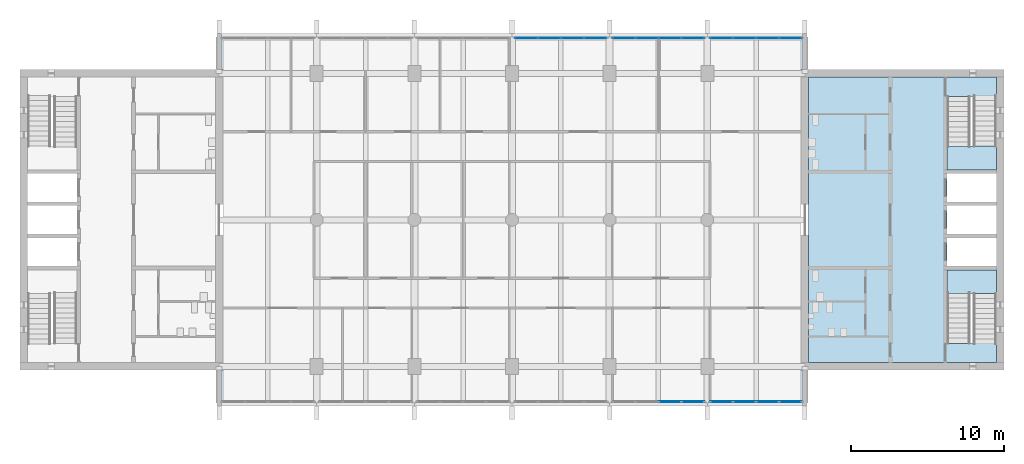
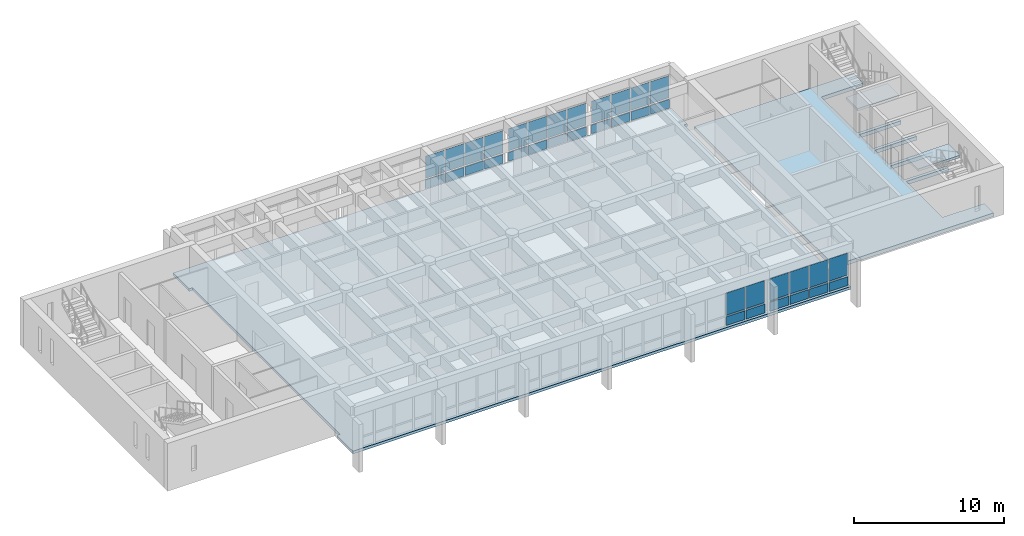
# One storey, part 8 of 15: 36 plates, 4 slabs, 7 elements without a shape of their own.
"""IFC4 building model written with IfcOpenShell, lengths in metres."""

from ifc_helpers import new_model, si_unit, direction, frame, origin, origin_2d, place, context, subcontext, project, spatial, polyline, rectangle, outline, extrude, material, layer, layer_set, type_object, element, aggregate, save


model = new_model("IFC4")

# Units and contexts
model_context = context("Model", 3, precision=1e-05, world=origin(), true_north=direction((0.0, 1.0)))
body_context = subcontext(model_context, "Body", "Model", "MODEL_VIEW")
ifc_project = project(units=[si_unit("LENGTHUNIT", "METRE"), si_unit("AREAUNIT", "SQUARE_METRE"), si_unit("VOLUMEUNIT", "CUBIC_METRE"), si_unit("PLANEANGLEUNIT", "RADIAN"), si_unit("MASSUNIT", "GRAM", prefix="KILO")], contexts=[model_context])

# Site, building, storey
site_placement = place(None, origin())
site = spatial("IfcSite", under=ifc_project, at=site_placement, CompositionType="ELEMENT")
building_placement = place(site_placement, origin())
building = spatial("IfcBuilding", under=site, at=building_placement, Name="Fogon Plaza Fire Station and Headquarters Tower", CompositionType="ELEMENT")
storey_placement = place(building_placement, frame((0.0, 0.0, 52.199951171875)))
storey = spatial("IfcBuildingStorey", under=building, at=storey_placement, Name="L13", CompositionType="ELEMENT", Elevation=52.199951171875)

# Slabs
ifc_material_1 = material(Name="Concrete C40", Category="concrete")
ifc_layer_1 = layer(ifc_material_1, 0.300048828125)
ifc_layer_set_1 = layer_set([ifc_layer_1], Name="Concrete C40")
slab_type_1 = type_object("IfcSlabType", Name="Core Floor Slab RC 300", PredefinedType="FLOOR", material=ifc_layer_set_1)
slab_1_placement = place(storey_placement, frame((0.0, 0.0, -0.300048828125)))
element("IfcSlab", 1, at=slab_1_placement, inside=storey, type_object=slab_type_1, Name="Core B floor", PredefinedType="FLOOR", context=body_context, shape_type="SweptSolid", body=[
    extrude(outline(polyline([(76.550048828125, 35.110107421875), (73.324951171875, 35.110107421875), (73.324951171875, 39.925048828125), (76.550048828125, 39.925048828125), (76.550048828125, 40.175048828125), (73.324951171875, 40.175048828125), (73.324951171875, 42.02490234375), (76.550048828125, 42.02490234375), (76.550048828125, 42.27490234375), (73.324951171875, 42.27490234375), (73.324951171875, 44.125), (76.550048828125, 44.125), (76.550048828125, 44.375), (73.324951171875, 44.375), (73.324951171875, 46.22509765625), (76.550048828125, 46.22509765625), (76.550048828125, 46.47509765625), (73.324951171875, 46.47509765625), (73.324951171875, 51.2900390625), (76.550048828125, 51.2900390625), (76.550048828125, 52.550048828125), (64.25, 52.550048828125), (64.25, 33.85009765625), (76.550048828125, 33.85009765625), (76.550048828125, 35.110107421875)])), origin(), (0.0, 0.0, 1.0), 0.300048828125),
])
ifc_material_2 = material(Name="Concrete C40", Category="concrete")
ifc_layer_2 = layer(ifc_material_2, 0.219970703125)
ifc_layer_set_2 = layer_set([ifc_layer_2], Name="Concrete C40")
slab_type_2 = type_object("IfcSlabType", Name="Floor slab 220 S22", PredefinedType="FLOOR", material=ifc_layer_set_2)
slab_2_placement = place(storey_placement, frame((0.0, 0.0, -0.219970703125)))
element("IfcSlab", 2, at=slab_2_placement, inside=storey, type_object=slab_type_2, Name="slab-L13-bar", PredefinedType="FLOOR", context=body_context, shape_type="SweptSolid", body=[
    extrude(outline(polyline([(64.0, 31.199951171875), (25.60009765625, 31.199951171875), (25.60009765625, 33.35009765625), (25.85009765625, 33.35009765625), (25.85009765625, 53.050048828125), (25.60009765625, 53.050048828125), (25.60009765625, 55.199951171875), (64.0, 55.199951171875), (64.0, 53.050048828125), (63.75, 53.050048828125), (63.75, 33.35009765625), (64.0, 33.35009765625), (64.0, 31.199951171875)])), origin(), (0.0, 0.0, 1.0), 0.219970703125),
])

# Curtain wall, plates
ifc_material_3 = material(Name="Aluminium and glass", Category="aluminium")
ifc_layer_3 = layer(ifc_material_3, 0.14990234375)
ifc_layer_set_3 = layer_set([ifc_layer_3], Name="Aluminium and glass")
curtain_wall_type = type_object("IfcCurtainWallType", Name="Unitised Curtain Wall Run 6100x2880", PredefinedType="NOTDEFINED", material=ifc_layer_set_3)
curtain_wall_1_placement = place(storey_placement, origin())
curtain_wall_1 = element("IfcCurtainWall", 3, at=curtain_wall_1_placement, inside=storey, type_object=curtain_wall_type, Name="CW-6100x2880 S5 L13", PredefinedType="NOTDEFINED")
ifc_material_4 = material(Name="Insulated aluminium spandrel", Category="aluminium")
ifc_layer_4 = layer(ifc_material_4, 0.06005859375)
ifc_layer_set_4 = layer_set([ifc_layer_4], Name="Insulated aluminium spandrel")
plate_type_1 = type_object("IfcPlateType", Name="Insulated Spandrel Panel", PredefinedType="CURTAIN_PANEL", material=ifc_layer_set_4)
plate_1_placement = place(storey_placement, frame((55.155029296875, 31.280029296875, 0.1201171875), z_axis=(0.0, 0.0, 1.0), x_axis=(1.0, 0.0, 0.0)))
plate_1 = element("IfcPlate", 4, at=plate_1_placement, type_object=plate_type_1, Name="SP1 panel 3.1", PredefinedType="CURTAIN_PANEL", context=body_context, shape_type="SweptSolid", body=[
    extrude(rectangle(XDim=1.449951171875, YDim=0.06005859375, at=origin_2d()), origin(), (0.0, 0.0, 1.0), 0.719970703125),
])
plate_2_placement = place(storey_placement, frame((56.6650390625, 31.280029296875, 0.1201171875), z_axis=(0.0, 0.0, 1.0), x_axis=(1.0, 0.0, 0.0)))
plate_2 = element("IfcPlate", 5, at=plate_2_placement, type_object=plate_type_1, Name="SP1 panel 4.1", PredefinedType="CURTAIN_PANEL", context=body_context, shape_type="SweptSolid", body=[
    extrude(rectangle(XDim=1.449951171875, YDim=0.06005859375, at=origin_2d()), origin(), (0.0, 0.0, 1.0), 0.719970703125),
])

curtain_wall_2_placement = place(storey_placement, origin())
curtain_wall_2 = element("IfcCurtainWall", 6, at=curtain_wall_2_placement, inside=storey, type_object=curtain_wall_type, Name="CW-6100x2880 S6 L13", PredefinedType="NOTDEFINED")
plate_3_placement = place(storey_placement, frame((58.534912109375, 31.280029296875, 0.1201171875), z_axis=(0.0, 0.0, 1.0), x_axis=(1.0, 0.0, 0.0)))
plate_3 = element("IfcPlate", 7, at=plate_3_placement, type_object=plate_type_1, Name="SP1 panel 1.1", PredefinedType="CURTAIN_PANEL", context=body_context, shape_type="SweptSolid", body=[
    extrude(rectangle(XDim=1.449951171875, YDim=0.06005859375, at=origin_2d()), origin(), (0.0, 0.0, 1.0), 0.719970703125),
])
plate_4_placement = place(storey_placement, frame((60.044921875, 31.280029296875, 0.1201171875), z_axis=(0.0, 0.0, 1.0), x_axis=(1.0, 0.0, 0.0)))
plate_4 = element("IfcPlate", 8, at=plate_4_placement, type_object=plate_type_1, Name="SP1 panel 2.1", PredefinedType="CURTAIN_PANEL", context=body_context, shape_type="SweptSolid", body=[
    extrude(rectangle(XDim=1.449951171875, YDim=0.06005859375, at=origin_2d()), origin(), (0.0, 0.0, 1.0), 0.719970703125),
])
plate_5_placement = place(storey_placement, frame((61.554931640625, 31.280029296875, 0.1201171875), z_axis=(0.0, 0.0, 1.0), x_axis=(1.0, 0.0, 0.0)))
plate_5 = element("IfcPlate", 9, at=plate_5_placement, type_object=plate_type_1, Name="SP1 panel 3.1", PredefinedType="CURTAIN_PANEL", context=body_context, shape_type="SweptSolid", body=[
    extrude(rectangle(XDim=1.449951171875, YDim=0.06005859375, at=origin_2d()), origin(), (0.0, 0.0, 1.0), 0.719970703125),
])
plate_6_placement = place(storey_placement, frame((63.06494140625, 31.280029296875, 0.1201171875), z_axis=(0.0, 0.0, 1.0), x_axis=(1.0, 0.0, 0.0)))
plate_6 = element("IfcPlate", 10, at=plate_6_placement, type_object=plate_type_1, Name="SP1 panel 4.1", PredefinedType="CURTAIN_PANEL", context=body_context, shape_type="SweptSolid", body=[
    extrude(rectangle(XDim=1.449951171875, YDim=0.06005859375, at=origin_2d()), origin(), (0.0, 0.0, 1.0), 0.719970703125),
])

curtain_wall_3_placement = place(storey_placement, origin())
curtain_wall_3 = element("IfcCurtainWall", 11, at=curtain_wall_3_placement, inside=storey, type_object=curtain_wall_type, Name="CW-6100x2880 N4 L13", PredefinedType="NOTDEFINED")
plate_7_placement = place(storey_placement, frame((45.735107421875, 55.1201171875, 0.1201171875), z_axis=(0.0, 0.0, 1.0), x_axis=(1.0, 0.0, 0.0)))
plate_7 = element("IfcPlate", 12, at=plate_7_placement, type_object=plate_type_1, Name="SP1 panel 1.1", PredefinedType="CURTAIN_PANEL", context=body_context, shape_type="SweptSolid", body=[
    extrude(rectangle(XDim=1.449951171875, YDim=0.06005859375, at=origin_2d()), origin(), (0.0, 0.0, 1.0), 0.719970703125),
])
plate_8_placement = place(storey_placement, frame((47.2451171875, 55.1201171875, 0.1201171875), z_axis=(0.0, 0.0, 1.0), x_axis=(1.0, 0.0, 0.0)))
plate_8 = element("IfcPlate", 13, at=plate_8_placement, type_object=plate_type_1, Name="SP1 panel 2.1", PredefinedType="CURTAIN_PANEL", context=body_context, shape_type="SweptSolid", body=[
    extrude(rectangle(XDim=1.449951171875, YDim=0.06005859375, at=origin_2d()), origin(), (0.0, 0.0, 1.0), 0.719970703125),
])
plate_9_placement = place(storey_placement, frame((48.7548828125, 55.1201171875, 0.1201171875), z_axis=(0.0, 0.0, 1.0), x_axis=(1.0, 0.0, 0.0)))
plate_9 = element("IfcPlate", 14, at=plate_9_placement, type_object=plate_type_1, Name="SP1 panel 3.1", PredefinedType="CURTAIN_PANEL", context=body_context, shape_type="SweptSolid", body=[
    extrude(rectangle(XDim=1.449951171875, YDim=0.06005859375, at=origin_2d()), origin(), (0.0, 0.0, 1.0), 0.719970703125),
])
plate_10_placement = place(storey_placement, frame((50.264892578125, 55.1201171875, 0.1201171875), z_axis=(0.0, 0.0, 1.0), x_axis=(1.0, 0.0, 0.0)))
plate_10 = element("IfcPlate", 15, at=plate_10_placement, type_object=plate_type_1, Name="SP1 panel 4.1", PredefinedType="CURTAIN_PANEL", context=body_context, shape_type="SweptSolid", body=[
    extrude(rectangle(XDim=1.449951171875, YDim=0.06005859375, at=origin_2d()), origin(), (0.0, 0.0, 1.0), 0.719970703125),
])

curtain_wall_4_placement = place(storey_placement, origin())
curtain_wall_4 = element("IfcCurtainWall", 16, at=curtain_wall_4_placement, inside=storey, type_object=curtain_wall_type, Name="CW-6100x2880 N5 L13", PredefinedType="NOTDEFINED")
plate_11_placement = place(storey_placement, frame((52.135009765625, 55.1201171875, 0.1201171875), z_axis=(0.0, 0.0, 1.0), x_axis=(1.0, 0.0, 0.0)))
plate_11 = element("IfcPlate", 17, at=plate_11_placement, type_object=plate_type_1, Name="SP1 panel 1.1", PredefinedType="CURTAIN_PANEL", context=body_context, shape_type="SweptSolid", body=[
    extrude(rectangle(XDim=1.449951171875, YDim=0.06005859375, at=origin_2d()), origin(), (0.0, 0.0, 1.0), 0.719970703125),
])
plate_12_placement = place(storey_placement, frame((53.64501953125, 55.1201171875, 0.1201171875), z_axis=(0.0, 0.0, 1.0), x_axis=(1.0, 0.0, 0.0)))
plate_12 = element("IfcPlate", 18, at=plate_12_placement, type_object=plate_type_1, Name="SP1 panel 2.1", PredefinedType="CURTAIN_PANEL", context=body_context, shape_type="SweptSolid", body=[
    extrude(rectangle(XDim=1.449951171875, YDim=0.06005859375, at=origin_2d()), origin(), (0.0, 0.0, 1.0), 0.719970703125),
])
plate_13_placement = place(storey_placement, frame((55.155029296875, 55.1201171875, 0.1201171875), z_axis=(0.0, 0.0, 1.0), x_axis=(1.0, 0.0, 0.0)))
plate_13 = element("IfcPlate", 19, at=plate_13_placement, type_object=plate_type_1, Name="SP1 panel 3.1", PredefinedType="CURTAIN_PANEL", context=body_context, shape_type="SweptSolid", body=[
    extrude(rectangle(XDim=1.449951171875, YDim=0.06005859375, at=origin_2d()), origin(), (0.0, 0.0, 1.0), 0.719970703125),
])
plate_14_placement = place(storey_placement, frame((56.6650390625, 55.1201171875, 0.1201171875), z_axis=(0.0, 0.0, 1.0), x_axis=(1.0, 0.0, 0.0)))
plate_14 = element("IfcPlate", 20, at=plate_14_placement, type_object=plate_type_1, Name="SP1 panel 4.1", PredefinedType="CURTAIN_PANEL", context=body_context, shape_type="SweptSolid", body=[
    extrude(rectangle(XDim=1.449951171875, YDim=0.06005859375, at=origin_2d()), origin(), (0.0, 0.0, 1.0), 0.719970703125),
])

curtain_wall_5_placement = place(storey_placement, origin())
curtain_wall_5 = element("IfcCurtainWall", 21, at=curtain_wall_5_placement, inside=storey, type_object=curtain_wall_type, Name="CW-6100x2880 N6 L13", PredefinedType="NOTDEFINED")
plate_15_placement = place(storey_placement, frame((58.534912109375, 55.1201171875, 0.1201171875), z_axis=(0.0, 0.0, 1.0), x_axis=(1.0, 0.0, 0.0)))
plate_15 = element("IfcPlate", 22, at=plate_15_placement, type_object=plate_type_1, Name="SP1 panel 1.1", PredefinedType="CURTAIN_PANEL", context=body_context, shape_type="SweptSolid", body=[
    extrude(rectangle(XDim=1.449951171875, YDim=0.06005859375, at=origin_2d()), origin(), (0.0, 0.0, 1.0), 0.719970703125),
])
plate_16_placement = place(storey_placement, frame((60.044921875, 55.1201171875, 0.1201171875), z_axis=(0.0, 0.0, 1.0), x_axis=(1.0, 0.0, 0.0)))
plate_16 = element("IfcPlate", 23, at=plate_16_placement, type_object=plate_type_1, Name="SP1 panel 2.1", PredefinedType="CURTAIN_PANEL", context=body_context, shape_type="SweptSolid", body=[
    extrude(rectangle(XDim=1.449951171875, YDim=0.06005859375, at=origin_2d()), origin(), (0.0, 0.0, 1.0), 0.719970703125),
])
plate_17_placement = place(storey_placement, frame((61.554931640625, 55.1201171875, 0.1201171875), z_axis=(0.0, 0.0, 1.0), x_axis=(1.0, 0.0, 0.0)))
plate_17 = element("IfcPlate", 24, at=plate_17_placement, type_object=plate_type_1, Name="SP1 panel 3.1", PredefinedType="CURTAIN_PANEL", context=body_context, shape_type="SweptSolid", body=[
    extrude(rectangle(XDim=1.449951171875, YDim=0.06005859375, at=origin_2d()), origin(), (0.0, 0.0, 1.0), 0.719970703125),
])
plate_18_placement = place(storey_placement, frame((63.06494140625, 55.1201171875, 0.1201171875), z_axis=(0.0, 0.0, 1.0), x_axis=(1.0, 0.0, 0.0)))
plate_18 = element("IfcPlate", 25, at=plate_18_placement, type_object=plate_type_1, Name="SP1 panel 4.1", PredefinedType="CURTAIN_PANEL", context=body_context, shape_type="SweptSolid", body=[
    extrude(rectangle(XDim=1.449951171875, YDim=0.06005859375, at=origin_2d()), origin(), (0.0, 0.0, 1.0), 0.719970703125),
])

# Stair, slab
ifc_material_5 = material(Name="Concrete C40", Category="concrete")
stair_type = type_object("IfcStairType", Name="Exit Stair Two Flights", PredefinedType="TWO_STRAIGHT_RUN_STAIR", material=ifc_material_5)
stair_1_placement = place(storey_placement, origin())
stair_1 = element("IfcStair", 26, at=stair_1_placement, inside=storey, type_object=stair_type, Name="Stair ST3", PredefinedType="TWO_STRAIGHT_RUN_STAIR")
ifc_material_6 = material(Name="Concrete C40", Category="concrete")
ifc_layer_5 = layer(ifc_material_6, 0.300048828125)
ifc_layer_set_5 = layer_set([ifc_layer_5], Name="Concrete C40")
slab_type_3 = type_object("IfcSlabType", Name="Stair Landing RC 300", PredefinedType="LANDING", material=ifc_layer_set_5)
slab_3_placement = place(storey_placement, frame((0.0, 0.0, 1.75)))
slab_3 = element("IfcSlab", 27, at=slab_3_placement, type_object=slab_type_3, Name="ST3 landing L15", PredefinedType="LANDING", context=body_context, shape_type="SweptSolid", body=[
    extrude(outline(polyline([(73.324951171875, 38.375), (76.550048828125, 38.375), (76.550048828125, 39.925048828125), (73.324951171875, 39.925048828125), (73.324951171875, 38.375)])), origin(), (0.0, 0.0, 1.0), 0.199951171875),
])
aggregate(stair_1, [slab_3])

stair_2_placement = place(storey_placement, origin())
stair_2 = element("IfcStair", 28, at=stair_2_placement, inside=storey, type_object=stair_type, Name="Stair ST4", PredefinedType="TWO_STRAIGHT_RUN_STAIR")
slab_4_placement = place(storey_placement, frame((0.0, 0.0, 1.75)))
slab_4 = element("IfcSlab", 29, at=slab_4_placement, type_object=slab_type_3, Name="ST4 landing L15", PredefinedType="LANDING", context=body_context, shape_type="SweptSolid", body=[
    extrude(outline(polyline([(73.324951171875, 46.47509765625), (76.550048828125, 46.47509765625), (76.550048828125, 48.02490234375), (73.324951171875, 48.02490234375), (73.324951171875, 46.47509765625)])), origin(), (0.0, 0.0, 1.0), 0.199951171875),
])
aggregate(stair_2, [slab_4])

# Plate
ifc_material_7 = material(Name="Low-e double glazing", Category="glass")
ifc_layer_6 = layer(ifc_material_7, 0.028076171875)
ifc_layer_set_6 = layer_set([ifc_layer_6], Name="Low-e double glazing")
plate_type_2 = type_object("IfcPlateType", Name="Vision Glass Panel 1450x1800", PredefinedType="CURTAIN_PANEL", material=ifc_layer_set_6)
plate_19_placement = place(storey_placement, frame((55.155029296875, 31.280029296875, 0.9599609375), z_axis=(0.0, 0.0, 1.0), x_axis=(1.0, 0.0, 0.0)))
plate_19 = element("IfcPlate", 30, at=plate_19_placement, type_object=plate_type_2, Name="VG-1450x1800 panel 3.2", PredefinedType="CURTAIN_PANEL", context=body_context, shape_type="SweptSolid", body=[
    extrude(rectangle(XDim=1.449951171875, YDim=0.028076171875, at=origin_2d()), origin(), (0.0, 0.0, 1.0), 1.800048828125),
])

plate_20_placement = place(storey_placement, frame((56.6650390625, 31.280029296875, 0.9599609375), z_axis=(0.0, 0.0, 1.0), x_axis=(1.0, 0.0, 0.0)))
plate_20 = element("IfcPlate", 31, at=plate_20_placement, type_object=plate_type_2, Name="VG-1450x1800 panel 4.2", PredefinedType="CURTAIN_PANEL", context=body_context, shape_type="SweptSolid", body=[
    extrude(rectangle(XDim=1.449951171875, YDim=0.028076171875, at=origin_2d()), origin(), (0.0, 0.0, 1.0), 1.800048828125),
])

aggregate(curtain_wall_1, [plate_1, plate_19, plate_2, plate_20])

plate_21_placement = place(storey_placement, frame((58.534912109375, 31.280029296875, 0.9599609375), z_axis=(0.0, 0.0, 1.0), x_axis=(1.0, 0.0, 0.0)))
plate_21 = element("IfcPlate", 32, at=plate_21_placement, type_object=plate_type_2, Name="VG-1450x1800 panel 1.2", PredefinedType="CURTAIN_PANEL", context=body_context, shape_type="SweptSolid", body=[
    extrude(rectangle(XDim=1.449951171875, YDim=0.028076171875, at=origin_2d()), origin(), (0.0, 0.0, 1.0), 1.800048828125),
])

plate_22_placement = place(storey_placement, frame((60.044921875, 31.280029296875, 0.9599609375), z_axis=(0.0, 0.0, 1.0), x_axis=(1.0, 0.0, 0.0)))
plate_22 = element("IfcPlate", 33, at=plate_22_placement, type_object=plate_type_2, Name="VG-1450x1800 panel 2.2", PredefinedType="CURTAIN_PANEL", context=body_context, shape_type="SweptSolid", body=[
    extrude(rectangle(XDim=1.449951171875, YDim=0.028076171875, at=origin_2d()), origin(), (0.0, 0.0, 1.0), 1.800048828125),
])

plate_23_placement = place(storey_placement, frame((61.554931640625, 31.280029296875, 0.9599609375), z_axis=(0.0, 0.0, 1.0), x_axis=(1.0, 0.0, 0.0)))
plate_23 = element("IfcPlate", 34, at=plate_23_placement, type_object=plate_type_2, Name="VG-1450x1800 panel 3.2", PredefinedType="CURTAIN_PANEL", context=body_context, shape_type="SweptSolid", body=[
    extrude(rectangle(XDim=1.449951171875, YDim=0.028076171875, at=origin_2d()), origin(), (0.0, 0.0, 1.0), 1.800048828125),
])

plate_24_placement = place(storey_placement, frame((63.06494140625, 31.280029296875, 0.9599609375), z_axis=(0.0, 0.0, 1.0), x_axis=(1.0, 0.0, 0.0)))
plate_24 = element("IfcPlate", 35, at=plate_24_placement, type_object=plate_type_2, Name="VG-1450x1800 panel 4.2", PredefinedType="CURTAIN_PANEL", context=body_context, shape_type="SweptSolid", body=[
    extrude(rectangle(XDim=1.449951171875, YDim=0.028076171875, at=origin_2d()), origin(), (0.0, 0.0, 1.0), 1.800048828125),
])

aggregate(curtain_wall_2, [plate_3, plate_21, plate_4, plate_22, plate_5, plate_23, plate_6, plate_24])

plate_25_placement = place(storey_placement, frame((45.735107421875, 55.1201171875, 0.9599609375), z_axis=(0.0, 0.0, 1.0), x_axis=(1.0, 0.0, 0.0)))
plate_25 = element("IfcPlate", 36, at=plate_25_placement, type_object=plate_type_2, Name="VG-1450x1800 panel 1.2", PredefinedType="CURTAIN_PANEL", context=body_context, shape_type="SweptSolid", body=[
    extrude(rectangle(XDim=1.449951171875, YDim=0.028076171875, at=origin_2d()), origin(), (0.0, 0.0, 1.0), 1.800048828125),
])

plate_26_placement = place(storey_placement, frame((47.2451171875, 55.1201171875, 0.9599609375), z_axis=(0.0, 0.0, 1.0), x_axis=(1.0, 0.0, 0.0)))
plate_26 = element("IfcPlate", 37, at=plate_26_placement, type_object=plate_type_2, Name="VG-1450x1800 panel 2.2", PredefinedType="CURTAIN_PANEL", context=body_context, shape_type="SweptSolid", body=[
    extrude(rectangle(XDim=1.449951171875, YDim=0.028076171875, at=origin_2d()), origin(), (0.0, 0.0, 1.0), 1.800048828125),
])

plate_27_placement = place(storey_placement, frame((48.7548828125, 55.1201171875, 0.9599609375), z_axis=(0.0, 0.0, 1.0), x_axis=(1.0, 0.0, 0.0)))
plate_27 = element("IfcPlate", 38, at=plate_27_placement, type_object=plate_type_2, Name="VG-1450x1800 panel 3.2", PredefinedType="CURTAIN_PANEL", context=body_context, shape_type="SweptSolid", body=[
    extrude(rectangle(XDim=1.449951171875, YDim=0.028076171875, at=origin_2d()), origin(), (0.0, 0.0, 1.0), 1.800048828125),
])

plate_28_placement = place(storey_placement, frame((50.264892578125, 55.1201171875, 0.9599609375), z_axis=(0.0, 0.0, 1.0), x_axis=(1.0, 0.0, 0.0)))
plate_28 = element("IfcPlate", 39, at=plate_28_placement, type_object=plate_type_2, Name="VG-1450x1800 panel 4.2", PredefinedType="CURTAIN_PANEL", context=body_context, shape_type="SweptSolid", body=[
    extrude(rectangle(XDim=1.449951171875, YDim=0.028076171875, at=origin_2d()), origin(), (0.0, 0.0, 1.0), 1.800048828125),
])

aggregate(curtain_wall_3, [plate_7, plate_25, plate_8, plate_26, plate_9, plate_27, plate_10, plate_28])

plate_29_placement = place(storey_placement, frame((52.135009765625, 55.1201171875, 0.9599609375), z_axis=(0.0, 0.0, 1.0), x_axis=(1.0, 0.0, 0.0)))
plate_29 = element("IfcPlate", 40, at=plate_29_placement, type_object=plate_type_2, Name="VG-1450x1800 panel 1.2", PredefinedType="CURTAIN_PANEL", context=body_context, shape_type="SweptSolid", body=[
    extrude(rectangle(XDim=1.449951171875, YDim=0.028076171875, at=origin_2d()), origin(), (0.0, 0.0, 1.0), 1.800048828125),
])

plate_30_placement = place(storey_placement, frame((53.64501953125, 55.1201171875, 0.9599609375), z_axis=(0.0, 0.0, 1.0), x_axis=(1.0, 0.0, 0.0)))
plate_30 = element("IfcPlate", 41, at=plate_30_placement, type_object=plate_type_2, Name="VG-1450x1800 panel 2.2", PredefinedType="CURTAIN_PANEL", context=body_context, shape_type="SweptSolid", body=[
    extrude(rectangle(XDim=1.449951171875, YDim=0.028076171875, at=origin_2d()), origin(), (0.0, 0.0, 1.0), 1.800048828125),
])

plate_31_placement = place(storey_placement, frame((55.155029296875, 55.1201171875, 0.9599609375), z_axis=(0.0, 0.0, 1.0), x_axis=(1.0, 0.0, 0.0)))
plate_31 = element("IfcPlate", 42, at=plate_31_placement, type_object=plate_type_2, Name="VG-1450x1800 panel 3.2", PredefinedType="CURTAIN_PANEL", context=body_context, shape_type="SweptSolid", body=[
    extrude(rectangle(XDim=1.449951171875, YDim=0.028076171875, at=origin_2d()), origin(), (0.0, 0.0, 1.0), 1.800048828125),
])

plate_32_placement = place(storey_placement, frame((56.6650390625, 55.1201171875, 0.9599609375), z_axis=(0.0, 0.0, 1.0), x_axis=(1.0, 0.0, 0.0)))
plate_32 = element("IfcPlate", 43, at=plate_32_placement, type_object=plate_type_2, Name="VG-1450x1800 panel 4.2", PredefinedType="CURTAIN_PANEL", context=body_context, shape_type="SweptSolid", body=[
    extrude(rectangle(XDim=1.449951171875, YDim=0.028076171875, at=origin_2d()), origin(), (0.0, 0.0, 1.0), 1.800048828125),
])

aggregate(curtain_wall_4, [plate_11, plate_29, plate_12, plate_30, plate_13, plate_31, plate_14, plate_32])

plate_33_placement = place(storey_placement, frame((58.534912109375, 55.1201171875, 0.9599609375), z_axis=(0.0, 0.0, 1.0), x_axis=(1.0, 0.0, 0.0)))
plate_33 = element("IfcPlate", 44, at=plate_33_placement, type_object=plate_type_2, Name="VG-1450x1800 panel 1.2", PredefinedType="CURTAIN_PANEL", context=body_context, shape_type="SweptSolid", body=[
    extrude(rectangle(XDim=1.449951171875, YDim=0.028076171875, at=origin_2d()), origin(), (0.0, 0.0, 1.0), 1.800048828125),
])

plate_34_placement = place(storey_placement, frame((60.044921875, 55.1201171875, 0.9599609375), z_axis=(0.0, 0.0, 1.0), x_axis=(1.0, 0.0, 0.0)))
plate_34 = element("IfcPlate", 45, at=plate_34_placement, type_object=plate_type_2, Name="VG-1450x1800 panel 2.2", PredefinedType="CURTAIN_PANEL", context=body_context, shape_type="SweptSolid", body=[
    extrude(rectangle(XDim=1.449951171875, YDim=0.028076171875, at=origin_2d()), origin(), (0.0, 0.0, 1.0), 1.800048828125),
])

plate_35_placement = place(storey_placement, frame((61.554931640625, 55.1201171875, 0.9599609375), z_axis=(0.0, 0.0, 1.0), x_axis=(1.0, 0.0, 0.0)))
plate_35 = element("IfcPlate", 46, at=plate_35_placement, type_object=plate_type_2, Name="VG-1450x1800 panel 3.2", PredefinedType="CURTAIN_PANEL", context=body_context, shape_type="SweptSolid", body=[
    extrude(rectangle(XDim=1.449951171875, YDim=0.028076171875, at=origin_2d()), origin(), (0.0, 0.0, 1.0), 1.800048828125),
])

plate_36_placement = place(storey_placement, frame((63.06494140625, 55.1201171875, 0.9599609375), z_axis=(0.0, 0.0, 1.0), x_axis=(1.0, 0.0, 0.0)))
plate_36 = element("IfcPlate", 47, at=plate_36_placement, type_object=plate_type_2, Name="VG-1450x1800 panel 4.2", PredefinedType="CURTAIN_PANEL", context=body_context, shape_type="SweptSolid", body=[
    extrude(rectangle(XDim=1.449951171875, YDim=0.028076171875, at=origin_2d()), origin(), (0.0, 0.0, 1.0), 1.800048828125),
])

aggregate(curtain_wall_5, [plate_15, plate_33, plate_16, plate_34, plate_17, plate_35, plate_18, plate_36])

save(model, "model.ifc")
